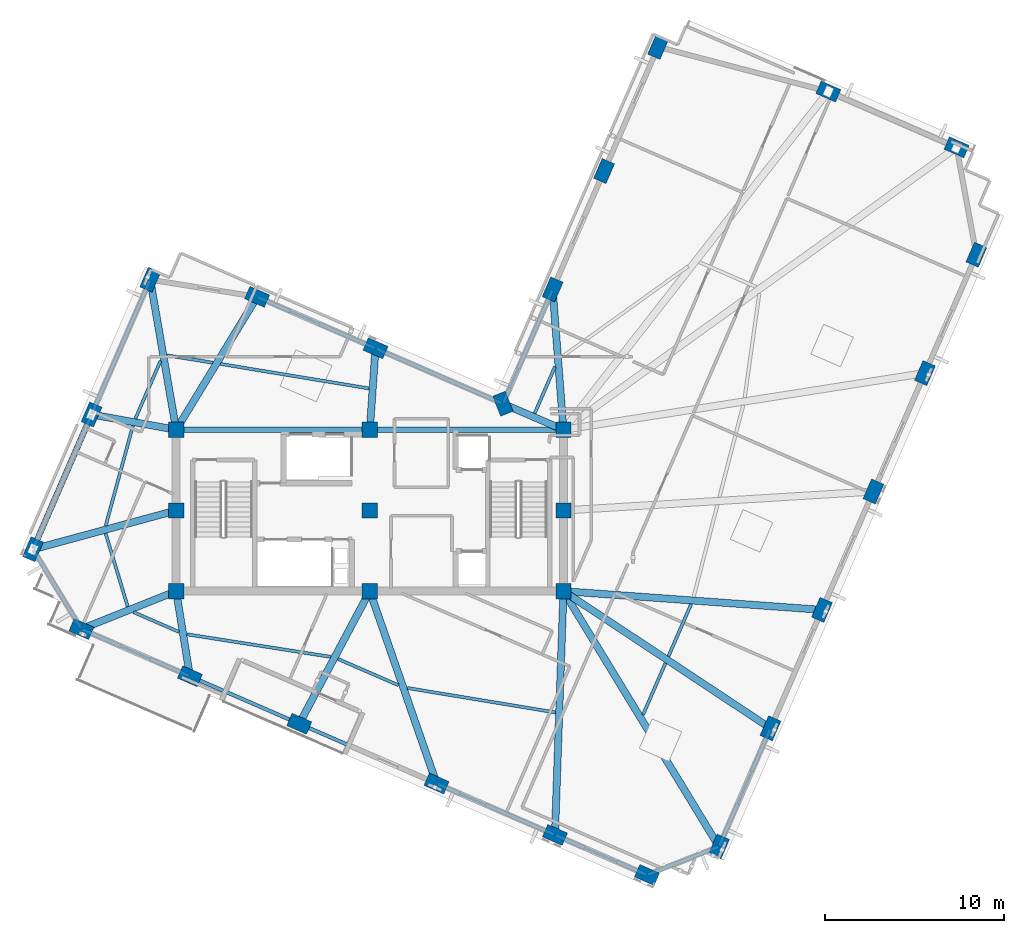
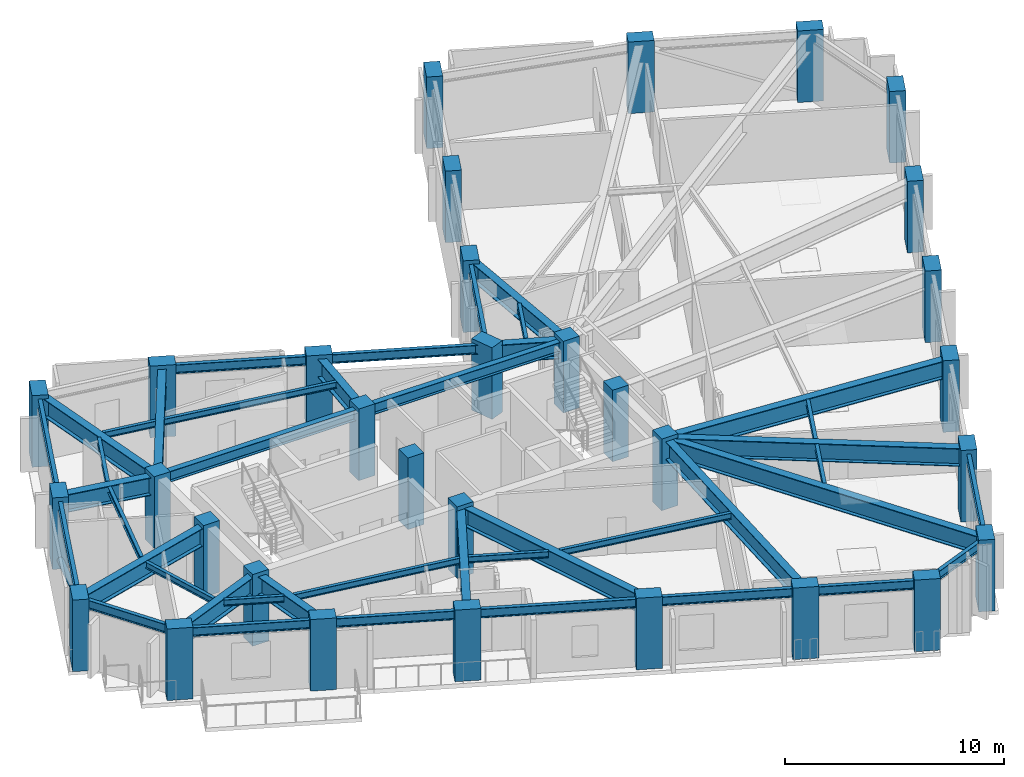
# One storey, part 1 of 12: 42 beams, 32 columns, 1 member.
"""IFC4 building model written with IfcOpenShell, lengths in metres."""

from ifc_helpers import new_model, si_unit, direction, frame, origin, origin_2d, place, context, subcontext, project, spatial, rectangle, hollow_circle, i_section, extrude, material, material_profile, profile_set, type_object, element, save


model = new_model("IFC4")

# Units and contexts
model_context = context("Model", 3, precision=1e-05, world=origin(), true_north=direction((0.0, 1.0)))
body_context = subcontext(model_context, "Body", "Model", "MODEL_VIEW")
ifc_project = project(units=[si_unit("LENGTHUNIT", "METRE"), si_unit("AREAUNIT", "SQUARE_METRE"), si_unit("VOLUMEUNIT", "CUBIC_METRE"), si_unit("PLANEANGLEUNIT", "RADIAN"), si_unit("MASSUNIT", "GRAM", prefix="KILO")], contexts=[model_context])

# Site, building, storey
site_placement = place(None, origin())
site = spatial("IfcSite", under=ifc_project, at=site_placement, CompositionType="ELEMENT")
building_placement = place(site_placement, origin())
building = spatial("IfcBuilding", under=site, at=building_placement, Name="Gaonmaruhae Medical Tower", CompositionType="ELEMENT")
storey_placement = place(building_placement, frame((0.0, 0.0, 312.60009765625)))
storey = spatial("IfcBuildingStorey", under=building, at=storey_placement, Name="L75", CompositionType="ELEMENT", Elevation=312.60009765625)

# Columns
ifc_material_1 = material(Name="Concrete C50/60", Category="concrete")
ifc_material_profile_1 = material_profile(ifc_material_1, rectangle(XDim=0.85009765625, YDim=0.85009765625, at=origin_2d()), Name="RC-850x850")
ifc_profile_set_1 = profile_set([ifc_material_profile_1], Name="Concrete C50/60")
column_type_1 = type_object("IfcColumnType", Name="CC-06 Upper Core Column (RC-850x850)", PredefinedType="COLUMN", material=ifc_profile_set_1)
for number, where, z_axis, x_axis, name in (
    (1, (14.0, 7.800048828125, 0.0), (0.0, 0.0, 1.0), (1.0, 0.0, 0.0), "L75 Plumb Core Column CC11"),
    (2, (14.0, 12.300048828125, 0.0), (0.0, 0.0, 1.0), (1.0, 0.0, 0.0), "L75 Plumb Core Column CC12"),
    (3, (14.0, 16.800048828125, 0.0), (0.0, 0.0, 1.0), (1.0, 0.0, 0.0), "L75 Plumb Core Column CC13"),
    (4, (24.800048828125, 7.800048828125, 0.0), (0.0, 0.0, 1.0), (1.0, 0.0, 0.0), "L75 Plumb Core Column CC21"),
    (5, (24.800048828125, 12.300048828125, 0.0), (0.0, 0.0, 1.0), (1.0, 0.0, 0.0), "L75 Plumb Core Column CC22"),
    (6, (24.800048828125, 16.800048828125, 0.0), (0.0, 0.0, 1.0), (1.0, 0.0, 0.0), "L75 Plumb Core Column CC23"),
    (7, (35.60009765625, 7.800048828125, 0.0), (0.0, 0.0, 1.0), (1.0, 0.0, 0.0), "L75 Plumb Core Column CC31"),
    (8, (35.60009765625, 12.300048828125, 0.0), (0.0, 0.0, 1.0), (1.0, 0.0, 0.0), "L75 Plumb Core Column CC32"),
    (9, (35.60009765625, 16.800048828125, 0.0), (0.0, 0.0, 1.0), (1.0, 0.0, 0.0), "L75 Plumb Core Column CC33"),
):
    element("IfcColumn", number, at=place(storey_placement, frame(where, z_axis=z_axis, x_axis=x_axis)), inside=storey, type_object=column_type_1, Name=name, PredefinedType="COLUMN", context=body_context, shape_type="SweptSolid", body=[
        extrude(rectangle(XDim=0.85009765625, YDim=0.85009765625, at=origin_2d()), origin(), (0.0, 0.0, 1.0), 4.0),
    ])
ifc_material_profile_2 = material_profile(ifc_material_1, rectangle(XDim=1.199951171875, YDim=0.75, at=origin_2d()), Name="RC-1200x750")
ifc_profile_set_2 = profile_set([ifc_material_profile_2], Name="Concrete C50/60")
column_type_2 = type_object("IfcColumnType", Name="TC-03 Upper Raking Tube Pier Column (RC-1200x750)", PredefinedType="COLUMN", material=ifc_profile_set_2)
for number, where, z_axis, x_axis, name in (
    (10, (44.275146484375, -6.448486328125, 0.001708984375), (0.0, 0.0, 1.0), (0.398749068925, 0.917060074385, 0.0), "L75 Perimeter Tube Column S01"),
    (11, (47.14599609375, 0.154296875, 0.001708984375), (0.0, 0.0, 1.0), (0.398749068925, 0.917060074385, 0.0), "L75 Perimeter Tube Column S02"),
    (12, (50.01708984375, 6.75732421875, 0.001708984375), (0.0, 0.0, 1.0), (0.398749068925, 0.917060074385, 0.0), "L75 Perimeter Tube Column S03"),
    (13, (52.88818359375, 13.360107421875, 0.001708984375), (0.0, 0.0, 1.0), (0.398749068925, 0.917060074385, 0.0), "L75 Perimeter Tube Column S04"),
    (14, (55.759033203125, 19.962890625, 0.001708984375), (0.0, 0.0, 1.0), (0.398749068925, 0.917060074385, 0.0), "L75 Perimeter Tube Column S05"),
    (15, (58.630126953125, 26.565673828125, 0.001708984375), (0.0, 0.0, 1.0), (0.398749068925, 0.917060074385, 0.0), "L75 Perimeter Tube Column S06"),
    (16, (57.525634765625, 32.552734375, 0.001708984375), (0.0, 0.0, 1.0), (-0.917060074385, 0.398749068925, 0.0), "L75 Perimeter Tube Column E01"),
    (17, (50.372802734375, 35.662841796875, 0.001708984375), (0.0, 0.0, 1.0), (-0.917060074385, 0.398749068925, 0.0), "L75 Perimeter Tube Column E02"),
    (18, (40.879150390625, 38.155029296875, 0.001708984375), (0.0, 0.0, 1.0), (0.398749068925, 0.917060074385, 0.0), "L75 Perimeter Tube Column E03"),
    (19, (37.868408203125, 31.2314453125, 0.001708984375), (0.0, 0.0, 1.0), (0.398749068925, 0.917060074385, 0.0), "L75 Perimeter Tube Column EN01"),
    (20, (34.99755859375, 24.62841796875, 0.001708984375), (0.0, 0.0, 1.0), (0.398749068925, 0.917060074385, 0.0), "L75 Perimeter Tube Column EN02"),
    (21, (32.226318359375, 18.2548828125, 0.001708984375), (0.0, 0.0, 1.0), (-0.366501226724, 0.930417567982, 0.0), "L75 Perimeter Tube Column KN01"),
    (22, (25.118896484375, 21.34521484375, 0.001708984375), (0.0, 0.0, 1.0), (-0.917060074385, 0.398749068925, 0.0), "L75 Perimeter Tube Column NE01"),
    (23, (18.51611328125, 24.21630859375, 0.001708984375), (0.0, 0.0, 1.0), (-0.917060074385, 0.398749068925, 0.0), "L75 Perimeter Tube Column NE02"),
    (24, (12.55322265625, 25.17333984375, 0.001708984375), (0.0, 0.0, 1.0), (0.398749068925, 0.917060074385, 0.0), "L75 Perimeter Tube Column N01"),
    (25, (9.283447265625, 17.653564453125, 0.001708984375), (0.0, 0.0, 1.0), (0.398749068925, 0.917060074385, 0.0), "L75 Perimeter Tube Column N02"),
    (26, (6.013671875, 10.133544921875, 0.001708984375), (0.0, 0.0, 1.0), (0.398749068925, 0.917060074385, 0.0), "L75 Perimeter Tube Column N03"),
    (27, (8.715087890625, 5.687744140625, 0.001708984375), (0.0, 0.0, 1.0), (-0.917060074385, 0.398749068925, 0.0), "L75 Perimeter Tube Column W01"),
    (28, (14.767578125, 3.055908203125, 0.001708984375), (0.0, 0.0, 1.0), (-0.917060074385, 0.398749068925, 0.0), "L75 Perimeter Tube Column W02"),
    (29, (20.865966796875, 0.404296875, 0.001708984375), (0.0, 0.0, 1.0), (-0.917060074385, 0.398749068925, 0.0), "L75 Perimeter Tube Column W03"),
    (30, (28.5234375, -2.92529296875, 0.001708984375), (0.0, 0.0, 1.0), (-0.917060074385, 0.398749068925, 0.0), "L75 Perimeter Tube Column W04"),
    (31, (35.12646484375, -5.79638671875, 0.001708984375), (0.0, 0.0, 1.0), (-0.917060074385, 0.398749068925, 0.0), "L75 Perimeter Tube Column W05"),
    (32, (40.261962890625, -8.029296875, 0.001708984375), (0.0, 0.0, 1.0), (-0.917060074385, 0.398749068925, 0.0), "L75 Perimeter Tube Column W06"),
):
    element("IfcColumn", number, at=place(storey_placement, frame(where, z_axis=z_axis, x_axis=x_axis)), inside=storey, type_object=column_type_2, Name=name, PredefinedType="COLUMN", context=body_context, shape_type="SweptSolid", body=[
        extrude(rectangle(XDim=1.199951171875, YDim=0.75, at=origin_2d()), origin(), (0.0, 0.0, 1.0), 3.996337890625),
    ])

# Beams
ifc_material_2 = material(Name="Steel SM420", Category="steel")
ifc_material_profile_3 = material_profile(ifc_material_2, i_section(OverallWidth=0.39990234375, OverallDepth=1.0, WebThickness=0.02197265625, FlangeThickness=0.035888671875, at=origin_2d()), Name="BH-1000x400x22x36")
ifc_profile_set_3 = profile_set([ifc_material_profile_3], Name="Steel SM420")
beam_type_1 = type_object("IfcBeamType", Name="BG-02 Refuge Floor Primary Girder (BH-1000x400x22x36)", PredefinedType="BEAM", material=ifc_profile_set_3)
beam_1_placement = place(storey_placement, frame((35.6259765625, 7.75732421875, 3.27978515625), z_axis=(0.520036625826, -0.854143961988, 0.0), x_axis=(0.854143961988, 0.520036625826, 0.0)))
element("IfcBeam", 33, at=beam_1_placement, inside=storey, type_object=beam_type_1, Name="L75 Radial Primary Girder S01", PredefinedType="BEAM", context=body_context, shape_type="SweptSolid", body=[
    extrude(i_section(OverallWidth=0.39990234375, OverallDepth=1.0, WebThickness=0.02197265625, FlangeThickness=0.035888671875, at=origin_2d()), origin(), (0.0, 0.0, 1.0), 16.58154296875),
])
beam_2_placement = place(storey_placement, frame((35.6416015625, 7.7724609375, 3.27978515625), z_axis=(0.833770161097, -0.552111690208, 0.0), x_axis=(0.552111690208, 0.833770161097, 0.0)))
element("IfcBeam", 34, at=beam_2_placement, inside=storey, type_object=beam_type_1, Name="L75 Radial Primary Girder S02", PredefinedType="BEAM", context=body_context, shape_type="SweptSolid", body=[
    extrude(i_section(OverallWidth=0.39990234375, OverallDepth=1.0, WebThickness=0.02197265625, FlangeThickness=0.035888671875, at=origin_2d()), origin(), (0.0, 0.0, 1.0), 13.748291015625),
])
beam_3_placement = place(storey_placement, frame((35.64990234375, 7.79638671875, 3.27978515625), z_axis=(0.997394062708, -0.072146265841, 0.0), x_axis=(0.072146265841, 0.997394062708, 0.0)))
element("IfcBeam", 35, at=beam_3_placement, inside=storey, type_object=beam_type_1, Name="L75 Radial Primary Girder S03", PredefinedType="BEAM", context=body_context, shape_type="SweptSolid", body=[
    extrude(i_section(OverallWidth=0.39990234375, OverallDepth=1.0, WebThickness=0.02197265625, FlangeThickness=0.035888671875, at=origin_2d()), origin(), (0.0, 0.0, 1.0), 14.354736328125),
])
beam_4_placement = place(storey_placement, frame((35.59619140625, 16.849853515625, 3.27978515625), z_axis=(-0.076722992115, 0.997052447207, 0.0), x_axis=(-0.997052447207, -0.076722992115, 0.0)))
element("IfcBeam", 36, at=beam_4_placement, inside=storey, type_object=beam_type_1, Name="L75 Radial Primary Girder EN02", PredefinedType="BEAM", context=body_context, shape_type="SweptSolid", body=[
    extrude(i_section(OverallWidth=0.39990234375, OverallDepth=1.0, WebThickness=0.02197265625, FlangeThickness=0.035888671875, at=origin_2d()), origin(), (0.0, 0.0, 1.0), 7.751708984375),
])
beam_5_placement = place(storey_placement, frame((35.55419921875, 16.81982421875, 3.27978515625), z_axis=(-0.918259431029, 0.395979314266, 0.0), x_axis=(-0.395979314266, -0.918259431029, 0.0)))
element("IfcBeam", 37, at=beam_5_placement, inside=storey, type_object=beam_type_1, Name="L75 Radial Primary Girder KN01", PredefinedType="BEAM", context=body_context, shape_type="SweptSolid", body=[
    extrude(i_section(OverallWidth=0.39990234375, OverallDepth=1.0, WebThickness=0.02197265625, FlangeThickness=0.035888671875, at=origin_2d()), origin(), (0.0, 0.0, 1.0), 3.57421875),
])
beam_6_placement = place(storey_placement, frame((24.803466796875, 16.849853515625, 3.27978515625), z_axis=(0.070012845455, 0.997546089898, 0.0), x_axis=(-0.997546089898, 0.070012845455, 0.0)))
element("IfcBeam", 38, at=beam_6_placement, inside=storey, type_object=beam_type_1, Name="L75 Radial Primary Girder NE01", PredefinedType="BEAM", context=body_context, shape_type="SweptSolid", body=[
    extrude(i_section(OverallWidth=0.39990234375, OverallDepth=1.0, WebThickness=0.02197265625, FlangeThickness=0.035888671875, at=origin_2d()), origin(), (0.0, 0.0, 1.0), 4.45654296875),
])
beam_7_placement = place(storey_placement, frame((14.026123046875, 16.8427734375, 3.27978515625), z_axis=(0.520106658264, 0.854101319534, 0.0), x_axis=(-0.854101319534, 0.520106658264, 0.0)))
element("IfcBeam", 39, at=beam_7_placement, inside=storey, type_object=beam_type_1, Name="L75 Radial Primary Girder NE02", PredefinedType="BEAM", context=body_context, shape_type="SweptSolid", body=[
    extrude(i_section(OverallWidth=0.39990234375, OverallDepth=1.0, WebThickness=0.02197265625, FlangeThickness=0.035888671875, at=origin_2d()), origin(), (0.0, 0.0, 1.0), 8.5830078125),
])
beam_8_placement = place(storey_placement, frame((13.991455078125, 16.849365234375, 3.27978515625), z_axis=(-0.170256429826, 0.985399791, 0.0), x_axis=(-0.985399791, -0.170256429826, 0.0)))
element("IfcBeam", 40, at=beam_8_placement, inside=storey, type_object=beam_type_1, Name="L75 Radial Primary Girder N01", PredefinedType="BEAM", context=body_context, shape_type="SweptSolid", body=[
    extrude(i_section(OverallWidth=0.39990234375, OverallDepth=1.0, WebThickness=0.02197265625, FlangeThickness=0.035888671875, at=origin_2d()), origin(), (0.0, 0.0, 1.0), 8.397216796875),
])
beam_9_placement = place(storey_placement, frame((13.95068359375, 16.808837890625, 3.27978515625), z_axis=(-0.984016905829, 0.17807506575, 0.0), x_axis=(-0.17807506575, -0.984016905829, 0.0)))
element("IfcBeam", 41, at=beam_9_placement, inside=storey, type_object=beam_type_1, Name="L75 Radial Primary Girder N02", PredefinedType="BEAM", context=body_context, shape_type="SweptSolid", body=[
    extrude(i_section(OverallWidth=0.39990234375, OverallDepth=1.0, WebThickness=0.02197265625, FlangeThickness=0.035888671875, at=origin_2d()), origin(), (0.0, 0.0, 1.0), 4.69287109375),
])
beam_10_placement = place(storey_placement, frame((13.95166015625, 12.286865234375, 3.27978515625), z_axis=(-0.965122679795, -0.261798038467, 0.0), x_axis=(0.261798038467, -0.965122679795, 0.0)))
element("IfcBeam", 42, at=beam_10_placement, inside=storey, type_object=beam_type_1, Name="L75 Radial Primary Girder N03", PredefinedType="BEAM", context=body_context, shape_type="SweptSolid", body=[
    extrude(i_section(OverallWidth=0.39990234375, OverallDepth=1.0, WebThickness=0.02197265625, FlangeThickness=0.035888671875, at=origin_2d()), origin(), (0.0, 0.0, 1.0), 8.1748046875),
])
beam_11_placement = place(storey_placement, frame((13.95361328125, 7.781494140625, 3.27978515625), z_axis=(-0.928579037594, -0.371134707272, 0.0), x_axis=(0.371134707272, -0.928579037594, 0.0)))
element("IfcBeam", 43, at=beam_11_placement, inside=storey, type_object=beam_type_1, Name="L75 Radial Primary Girder W01", PredefinedType="BEAM", context=body_context, shape_type="SweptSolid", body=[
    extrude(i_section(OverallWidth=0.39990234375, OverallDepth=1.0, WebThickness=0.02197265625, FlangeThickness=0.035888671875, at=origin_2d()), origin(), (0.0, 0.0, 1.0), 5.591552734375),
])
beam_12_placement = place(storey_placement, frame((14.008056640625, 7.750732421875, 3.27978515625), z_axis=(0.159685869984, -0.987167879809, 0.0), x_axis=(0.987167879809, 0.159685869984, 0.0)))
element("IfcBeam", 44, at=beam_12_placement, inside=storey, type_object=beam_type_1, Name="L75 Radial Primary Girder W02", PredefinedType="BEAM", context=body_context, shape_type="SweptSolid", body=[
    extrude(i_section(OverallWidth=0.39990234375, OverallDepth=1.0, WebThickness=0.02197265625, FlangeThickness=0.035888671875, at=origin_2d()), origin(), (0.0, 0.0, 1.0), 4.705810546875),
])
beam_13_placement = place(storey_placement, frame((24.776611328125, 7.755859375, 3.260009765625), z_axis=(-0.469618843189, -0.882869266722, 0.0), x_axis=(0.882869266722, -0.469618843189, 0.0)))
element("IfcBeam", 45, at=beam_13_placement, inside=storey, type_object=beam_type_1, Name="L75 Radial Primary Girder W03", PredefinedType="BEAM", context=body_context, shape_type="SweptSolid", body=[
    extrude(i_section(OverallWidth=0.39990234375, OverallDepth=1.0, WebThickness=0.02197265625, FlangeThickness=0.035888671875, at=origin_2d()), origin(), (0.0, 0.0, 1.0), 8.27685546875),
])
beam_14_placement = place(storey_placement, frame((24.81640625, 7.752685546875, 3.27978515625), z_axis=(0.327964362011, -0.944690095878, 0.0), x_axis=(0.944690095878, 0.327964362011, 0.0)))
element("IfcBeam", 46, at=beam_14_placement, inside=storey, type_object=beam_type_1, Name="L75 Radial Primary Girder W04", PredefinedType="BEAM", context=body_context, shape_type="SweptSolid", body=[
    extrude(i_section(OverallWidth=0.39990234375, OverallDepth=1.0, WebThickness=0.02197265625, FlangeThickness=0.035888671875, at=origin_2d()), origin(), (0.0, 0.0, 1.0), 11.253173828125),
])
beam_15_placement = place(storey_placement, frame((35.59814453125, 7.75, 3.27978515625), z_axis=(-0.034800997703, -0.99939426182, 0.0), x_axis=(0.99939426182, -0.034800997703, 0.0)))
element("IfcBeam", 47, at=beam_15_placement, inside=storey, type_object=beam_type_1, Name="L75 Radial Primary Girder W05", PredefinedType="BEAM", context=body_context, shape_type="SweptSolid", body=[
    extrude(i_section(OverallWidth=0.39990234375, OverallDepth=1.0, WebThickness=0.02197265625, FlangeThickness=0.035888671875, at=origin_2d()), origin(), (0.0, 0.0, 1.0), 13.504638671875),
])
ifc_material_3 = material(Name="Steel SM355", Category="steel")
ifc_material_profile_4 = material_profile(ifc_material_3, i_section(OverallWidth=0.175048828125, OverallDepth=0.35009765625, WebThickness=0.007080078125, FlangeThickness=0.010986328125, FilletRadius=0.012939453125, at=origin_2d()), Name="H-350x175x7x11")
ifc_profile_set_4 = profile_set([ifc_material_profile_4], Name="Steel SM355")
beam_type_2 = type_object("IfcBeamType", Name="FJ-02 Upper Zone Ward Floor Joist (H-350x175x7x11)", PredefinedType="JOIST", material=ifc_profile_set_4)
beam_16_placement = place(storey_placement, frame((40.03759765625, 0.905517578125, 3.60498046875), z_axis=(0.39874601067, 0.917061404146, 0.0), x_axis=(-0.917061404146, 0.39874601067, 0.0)))
element("IfcBeam", 48, at=beam_16_placement, inside=storey, type_object=beam_type_2, Name="L75 Secondary Floor Joist FJ01", PredefinedType="JOIST", context=body_context, shape_type="SweptSolid", body=[
    extrude(i_section(OverallWidth=0.175048828125, OverallDepth=0.35009765625, WebThickness=0.007080078125, FlangeThickness=0.010986328125, FilletRadius=0.012939453125, at=origin_2d()), origin(), (0.0, 0.0, 1.0), 3.140380859375),
])
beam_17_placement = place(storey_placement, frame((41.45654296875, 4.1689453125, 3.60498046875), z_axis=(0.398742993355, 0.917062716094, 0.0), x_axis=(-0.917062716094, 0.398742993355, 0.0)))
element("IfcBeam", 49, at=beam_17_placement, inside=storey, type_object=beam_type_2, Name="L75 Secondary Floor Joist FJ02", PredefinedType="JOIST", context=body_context, shape_type="SweptSolid", body=[
    extrude(i_section(OverallWidth=0.175048828125, OverallDepth=0.35009765625, WebThickness=0.007080078125, FlangeThickness=0.010986328125, FilletRadius=0.012939453125, at=origin_2d()), origin(), (0.0, 0.0, 1.0), 3.1728515625),
])
beam_18_placement = place(storey_placement, frame((35.1259765625, 20.31689453125, 3.60498046875), z_axis=(-0.398704074368, -0.917079637263, 0.0), x_axis=(0.917079637263, -0.398704074368, 0.0)))
element("IfcBeam", 50, at=beam_18_placement, inside=storey, type_object=beam_type_2, Name="L75 Secondary Floor Joist FJ08", PredefinedType="JOIST", context=body_context, shape_type="SweptSolid", body=[
    extrude(i_section(OverallWidth=0.175048828125, OverallDepth=0.35009765625, WebThickness=0.007080078125, FlangeThickness=0.010986328125, FilletRadius=0.012939453125, at=origin_2d()), origin(), (0.0, 0.0, 1.0), 2.835693359375),
])
beam_19_placement = place(storey_placement, frame((24.75537109375, 19.106201171875, 3.60498046875), z_axis=(-0.986663894193, 0.162770881598, 0.0), x_axis=(-0.162770881598, -0.986663894193, 0.0)))
element("IfcBeam", 51, at=beam_19_placement, inside=storey, type_object=beam_type_2, Name="L75 Secondary Floor Joist FJ10", PredefinedType="JOIST", context=body_context, shape_type="SweptSolid", body=[
    extrude(i_section(OverallWidth=0.175048828125, OverallDepth=0.35009765625, WebThickness=0.007080078125, FlangeThickness=0.010986328125, FilletRadius=0.012939453125, at=origin_2d()), origin(), (0.0, 0.0, 1.0), 8.390380859375),
])
beam_20_placement = place(storey_placement, frame((16.038818359375, 20.543212890625, 3.60498046875), z_axis=(-0.987360795074, 0.158488675779, 0.0), x_axis=(-0.158488675779, -0.987360795074, 0.0)))
element("IfcBeam", 52, at=beam_20_placement, inside=storey, type_object=beam_type_2, Name="L75 Secondary Floor Joist FJ11", PredefinedType="JOIST", context=body_context, shape_type="SweptSolid", body=[
    extrude(i_section(OverallWidth=0.175048828125, OverallDepth=0.35009765625, WebThickness=0.007080078125, FlangeThickness=0.010986328125, FilletRadius=0.012939453125, at=origin_2d()), origin(), (0.0, 0.0, 1.0), 2.580322265625),
])
beam_21_placement = place(storey_placement, frame((13.12890625, 20.64697265625, 3.60498046875), z_axis=(-0.398746411425, -0.917061229895, 0.0), x_axis=(0.917061229895, -0.398746411425, 0.0)))
element("IfcBeam", 53, at=beam_21_placement, inside=storey, type_object=beam_type_2, Name="L75 Secondary Floor Joist FJ12", PredefinedType="JOIST", context=body_context, shape_type="SweptSolid", body=[
    extrude(i_section(OverallWidth=0.175048828125, OverallDepth=0.35009765625, WebThickness=0.007080078125, FlangeThickness=0.010986328125, FilletRadius=0.012939453125, at=origin_2d()), origin(), (0.0, 0.0, 1.0), 3.51806640625),
])
beam_22_placement = place(storey_placement, frame((11.58740234375, 17.027099609375, 3.60498046875), z_axis=(-0.262477989376, -0.964937979921, 0.0), x_axis=(0.964937979921, -0.262477989376, 0.0)))
element("IfcBeam", 54, at=beam_22_placement, inside=storey, type_object=beam_type_2, Name="L75 Secondary Floor Joist FJ13", PredefinedType="JOIST", context=body_context, shape_type="SweptSolid", body=[
    extrude(i_section(OverallWidth=0.175048828125, OverallDepth=0.35009765625, WebThickness=0.007080078125, FlangeThickness=0.010986328125, FilletRadius=0.012939453125, at=origin_2d()), origin(), (0.0, 0.0, 1.0), 5.78369140625),
])
beam_23_placement = place(storey_placement, frame((10.06640625, 11.01953125, 3.60498046875), z_axis=(0.289103701868, -0.957297785209, 0.0), x_axis=(0.957297785209, 0.289103701868, 0.0)))
element("IfcBeam", 55, at=beam_23_placement, inside=storey, type_object=beam_type_2, Name="L75 Secondary Floor Joist FJ14", PredefinedType="JOIST", context=body_context, shape_type="SweptSolid", body=[
    extrude(i_section(OverallWidth=0.175048828125, OverallDepth=0.35009765625, WebThickness=0.007080078125, FlangeThickness=0.010986328125, FilletRadius=0.012939453125, at=origin_2d()), origin(), (0.0, 0.0, 1.0), 4.259521484375),
])
beam_24_placement = place(storey_placement, frame((11.62109375, 6.629150390625, 3.60498046875), z_axis=(0.917075663277, -0.398713215012, 0.0), x_axis=(0.398713215012, 0.917075663277, 0.0)))
element("IfcBeam", 56, at=beam_24_placement, inside=storey, type_object=beam_type_2, Name="L75 Secondary Floor Joist FJ15", PredefinedType="JOIST", context=body_context, shape_type="SweptSolid", body=[
    extrude(i_section(OverallWidth=0.175048828125, OverallDepth=0.35009765625, WebThickness=0.007080078125, FlangeThickness=0.010986328125, FilletRadius=0.012939453125, at=origin_2d()), origin(), (0.0, 0.0, 1.0), 2.768798828125),
])
beam_25_placement = place(storey_placement, frame((14.59765625, 5.39453125, 3.60498046875), z_axis=(0.9879068852, -0.15504833496, 0.0), x_axis=(0.15504833496, 0.9879068852, 0.0)))
element("IfcBeam", 57, at=beam_25_placement, inside=storey, type_object=beam_type_2, Name="L75 Secondary Floor Joist FJ16", PredefinedType="JOIST", context=body_context, shape_type="SweptSolid", body=[
    extrude(i_section(OverallWidth=0.175048828125, OverallDepth=0.35009765625, WebThickness=0.007080078125, FlangeThickness=0.010986328125, FilletRadius=0.012939453125, at=origin_2d()), origin(), (0.0, 0.0, 1.0), 8.11865234375),
])
beam_26_placement = place(storey_placement, frame((23.0224609375, 4.019775390625, 3.60498046875), z_axis=(0.91705533197, -0.398759975555, 0.0), x_axis=(0.398759975555, 0.91705533197, 0.0)))
element("IfcBeam", 58, at=beam_26_placement, inside=storey, type_object=beam_type_2, Name="L75 Secondary Floor Joist FJ17", PredefinedType="JOIST", context=body_context, shape_type="SweptSolid", body=[
    extrude(i_section(OverallWidth=0.175048828125, OverallDepth=0.35009765625, WebThickness=0.007080078125, FlangeThickness=0.010986328125, FilletRadius=0.012939453125, at=origin_2d()), origin(), (0.0, 0.0, 1.0), 3.690673828125),
])
beam_27_placement = place(storey_placement, frame((26.892333984375, 2.3994140625, 3.60498046875), z_axis=(0.986661186603, -0.162787293274, 0.0), x_axis=(0.162787293274, 0.986661186603, 0.0)))
element("IfcBeam", 59, at=beam_27_placement, inside=storey, type_object=beam_type_2, Name="L75 Secondary Floor Joist FJ18", PredefinedType="JOIST", context=body_context, shape_type="SweptSolid", body=[
    extrude(i_section(OverallWidth=0.175048828125, OverallDepth=0.35009765625, WebThickness=0.007080078125, FlangeThickness=0.010986328125, FilletRadius=0.012939453125, at=origin_2d()), origin(), (0.0, 0.0, 1.0), 8.377685546875),
])

# Member
ifc_material_profile_5 = material_profile(ifc_material_3, hollow_circle(Radius=0.1591796875, WallThickness=0.01025390625, at=origin_2d()), Name="CHS-318.5x10.3")
ifc_profile_set_5 = profile_set([ifc_material_profile_5], Name="Steel SM355")
member_type = type_object("IfcMemberType", Name="PB-03 Perimeter Solid-Bay Tube Brace Upper (CHS-318.5x10.3)", PredefinedType="BRACE", material=ifc_profile_set_5)
member_placement = place(storey_placement, frame((9.283447265625, 17.653564453125, 0.25), z_axis=(-0.370231257268, -0.851479368802, 0.371364646467), x_axis=(0.917061062653, -0.398746796056, 0.0)))
element("IfcMember", 60, at=member_placement, inside=storey, type_object=member_type, Name="L75 Perimeter Tube Solid-Bay Brace N02-N03", PredefinedType="BRACE", context=body_context, shape_type="SweptSolid", body=[
    extrude(hollow_circle(Radius=0.1591796875, WallThickness=0.01025390625, at=origin_2d()), origin(), (0.0, 0.0, 1.0), 8.831787109375),
])

# Beams
ifc_material_profile_6 = material_profile(ifc_material_2, i_section(OverallWidth=0.300048828125, OverallDepth=0.60009765625, WebThickness=0.011962890625, FlangeThickness=0.02001953125, FilletRadius=0.012939453125, at=origin_2d()), Name="H-600x300x12x20")
ifc_profile_set_6 = profile_set([ifc_material_profile_6], Name="Steel SM420")
beam_type_3 = type_object("IfcBeamType", Name="PG-04 Zone 4 Radial Floor Girder (H-600x300x12x20)", PredefinedType="BEAM", material=ifc_profile_set_6)
for number, where, z_axis, x_axis, name in (
    (61, (14.050048828125, 16.800048828125, 3.47998046875), (1.0, 0.0, 0.0), (0.0, 1.0, 0.0), "L75 Beam BM-L75-CG-N1"),
    (62, (24.85009765625, 16.800048828125, 3.47998046875), (1.0, 0.0, 0.0), (0.0, 1.0, 0.0), "L75 Beam BM-L75-CG-N2"),
):
    element("IfcBeam", number, at=place(storey_placement, frame(where, z_axis=z_axis, x_axis=x_axis)), inside=storey, type_object=beam_type_3, Name=name, PredefinedType="BEAM", context=body_context, shape_type="SweptSolid", body=[
        extrude(i_section(OverallWidth=0.300048828125, OverallDepth=0.60009765625, WebThickness=0.011962890625, FlangeThickness=0.02001953125, FilletRadius=0.012939453125, at=origin_2d()), origin(), (0.0, 0.0, 1.0), 10.699951171875),
    ])
ifc_material_profile_7 = material_profile(ifc_material_3, i_section(OverallWidth=0.199951171875, OverallDepth=0.5, WebThickness=0.010009765625, FlangeThickness=0.01611328125, FilletRadius=0.012939453125, at=origin_2d()), Name="H-500x200x10x16")
ifc_profile_set_7 = profile_set([ifc_material_profile_7], Name="Steel SM355")
beam_type_4 = type_object("IfcBeamType", Name="SP-02 Upper Perimeter Spandrel Beam (H-500x200x10x16)", PredefinedType="SPANDREL", material=ifc_profile_set_7)
beam_28_placement = place(storey_placement, frame((44.291015625, -6.411865234375, 3.52978515625), z_axis=(0.398747426125, 0.917060788693, 0.0), x_axis=(-0.917060788693, 0.398747426125, 0.0)))
element("IfcBeam", 63, at=beam_28_placement, inside=storey, type_object=beam_type_4, Name="L75 Perimeter Spandrel Beam S01-S02", PredefinedType="SPANDREL", context=body_context, shape_type="SweptSolid", body=[
    extrude(i_section(OverallWidth=0.199951171875, OverallDepth=0.5, WebThickness=0.010009765625, FlangeThickness=0.01611328125, FilletRadius=0.012939453125, at=origin_2d()), origin(), (0.0, 0.0, 1.0), 7.1201171875),
])
beam_29_placement = place(storey_placement, frame((34.981689453125, 24.591796875, 3.52978515625), z_axis=(-0.398768993563, -0.917051410649, 0.0), x_axis=(0.917051410649, -0.398768993563, 0.0)))
element("IfcBeam", 64, at=beam_29_placement, inside=storey, type_object=beam_type_4, Name="L75 Perimeter Spandrel Beam EN02-KN01", PredefinedType="SPANDREL", context=body_context, shape_type="SweptSolid", body=[
    extrude(i_section(OverallWidth=0.199951171875, OverallDepth=0.5, WebThickness=0.010009765625, FlangeThickness=0.01611328125, FilletRadius=0.012939453125, at=origin_2d()), origin(), (0.0, 0.0, 1.0), 6.869873046875),
])
beam_30_placement = place(storey_placement, frame((32.189453125, 18.27099609375, 3.52978515625), z_axis=(-0.917059428629, 0.398750554059, 0.0), x_axis=(-0.398750554059, -0.917059428629, 0.0)))
element("IfcBeam", 65, at=beam_30_placement, inside=storey, type_object=beam_type_4, Name="L75 Perimeter Spandrel Beam KN01-NE01", PredefinedType="SPANDREL", context=body_context, shape_type="SweptSolid", body=[
    extrude(i_section(OverallWidth=0.199951171875, OverallDepth=0.5, WebThickness=0.010009765625, FlangeThickness=0.01611328125, FilletRadius=0.012939453125, at=origin_2d()), origin(), (0.0, 0.0, 1.0), 7.669921875),
])
beam_31_placement = place(storey_placement, frame((25.082275390625, 21.361083984375, 3.52978515625), z_axis=(-0.917055336493, 0.398759965154, 0.0), x_axis=(-0.398759965154, -0.917055336493, 0.0)))
element("IfcBeam", 66, at=beam_31_placement, inside=storey, type_object=beam_type_4, Name="L75 Perimeter Spandrel Beam NE01-NE02", PredefinedType="SPANDREL", context=body_context, shape_type="SweptSolid", body=[
    extrude(i_section(OverallWidth=0.199951171875, OverallDepth=0.5, WebThickness=0.010009765625, FlangeThickness=0.01611328125, FilletRadius=0.012939453125, at=origin_2d()), origin(), (0.0, 0.0, 1.0), 7.119873046875),
])
for number, where, z_axis, x_axis, name in (
    (67, (12.537353515625, 25.13671875, 3.52978515625), (-0.398743701995, -0.917062407974, 0.0), (0.917062407974, -0.398743701995, 0.0), "L75 Perimeter Spandrel Beam N01-N02"),
    (68, (9.267578125, 17.61669921875, 3.52978515625), (-0.398743701995, -0.917062407974, 0.0), (0.917062407974, -0.398743701995, 0.0), "L75 Perimeter Spandrel Beam N02-N03"),
):
    element("IfcBeam", number, at=place(storey_placement, frame(where, z_axis=z_axis, x_axis=x_axis)), inside=storey, type_object=beam_type_4, Name=name, PredefinedType="SPANDREL", context=body_context, shape_type="SweptSolid", body=[
        extrude(i_section(OverallWidth=0.199951171875, OverallDepth=0.5, WebThickness=0.010009765625, FlangeThickness=0.01611328125, FilletRadius=0.012939453125, at=origin_2d()), origin(), (0.0, 0.0, 1.0), 8.119873046875),
    ])
beam_32_placement = place(storey_placement, frame((6.034423828125, 10.099365234375, 3.52978515625), z_axis=(0.519289042516, -0.854598672081, 0.0), x_axis=(0.854598672081, 0.519289042516, 0.0)))
element("IfcBeam", 69, at=beam_32_placement, inside=storey, type_object=beam_type_4, Name="L75 Perimeter Spandrel Beam N03-W01", PredefinedType="SPANDREL", context=body_context, shape_type="SweptSolid", body=[
    extrude(i_section(OverallWidth=0.199951171875, OverallDepth=0.5, WebThickness=0.010009765625, FlangeThickness=0.01611328125, FilletRadius=0.012939453125, at=origin_2d()), origin(), (0.0, 0.0, 1.0), 5.122314453125),
])
beam_33_placement = place(storey_placement, frame((8.751708984375, 5.671630859375, 3.52978515625), z_axis=(0.917059935749, -0.398749387767, 0.0), x_axis=(0.398749387767, 0.917059935749, 0.0)))
element("IfcBeam", 70, at=beam_33_placement, inside=storey, type_object=beam_type_4, Name="L75 Perimeter Spandrel Beam W01-W02", PredefinedType="SPANDREL", context=body_context, shape_type="SweptSolid", body=[
    extrude(i_section(OverallWidth=0.199951171875, OverallDepth=0.5, WebThickness=0.010009765625, FlangeThickness=0.01611328125, FilletRadius=0.012939453125, at=origin_2d()), origin(), (0.0, 0.0, 1.0), 6.52001953125),
])
beam_34_placement = place(storey_placement, frame((14.80419921875, 3.0400390625, 3.510009765625), z_axis=(0.917056468028, -0.398757362876, 0.0), x_axis=(0.398757362876, 0.917056468028, 0.0)))
element("IfcBeam", 71, at=beam_34_placement, inside=storey, type_object=beam_type_4, Name="L75 Perimeter Spandrel Beam W02-W03", PredefinedType="SPANDREL", context=body_context, shape_type="SweptSolid", body=[
    extrude(i_section(OverallWidth=0.199951171875, OverallDepth=0.5, WebThickness=0.010009765625, FlangeThickness=0.01611328125, FilletRadius=0.012939453125, at=origin_2d()), origin(), (0.0, 0.0, 1.0), 6.570068359375),
])
beam_35_placement = place(storey_placement, frame((20.90283203125, 0.388427734375, 3.510009765625), z_axis=(0.917049404199, -0.398773607775, 0.0), x_axis=(0.398773607775, 0.917049404199, 0.0)))
element("IfcBeam", 72, at=beam_35_placement, inside=storey, type_object=beam_type_4, Name="L75 Perimeter Spandrel Beam W03-W04", PredefinedType="SPANDREL", context=body_context, shape_type="SweptSolid", body=[
    extrude(i_section(OverallWidth=0.199951171875, OverallDepth=0.5, WebThickness=0.010009765625, FlangeThickness=0.01611328125, FilletRadius=0.012939453125, at=origin_2d()), origin(), (0.0, 0.0, 1.0), 8.27001953125),
])
beam_36_placement = place(storey_placement, frame((28.560302734375, -2.941162109375, 3.52978515625), z_axis=(0.917055336493, -0.398759965154, 0.0), x_axis=(0.398759965154, 0.917055336493, 0.0)))
element("IfcBeam", 73, at=beam_36_placement, inside=storey, type_object=beam_type_4, Name="L75 Perimeter Spandrel Beam W04-W05", PredefinedType="SPANDREL", context=body_context, shape_type="SweptSolid", body=[
    extrude(i_section(OverallWidth=0.199951171875, OverallDepth=0.5, WebThickness=0.010009765625, FlangeThickness=0.01611328125, FilletRadius=0.012939453125, at=origin_2d()), origin(), (0.0, 0.0, 1.0), 7.119873046875),
])
beam_37_placement = place(storey_placement, frame((35.1630859375, -5.812255859375, 3.52978515625), z_axis=(0.917050366415, -0.398771394984, 0.0), x_axis=(0.398771394984, 0.917050366415, 0.0)))
element("IfcBeam", 74, at=beam_37_placement, inside=storey, type_object=beam_type_4, Name="L75 Perimeter Spandrel Beam W05-W06", PredefinedType="SPANDREL", context=body_context, shape_type="SweptSolid", body=[
    extrude(i_section(OverallWidth=0.199951171875, OverallDepth=0.5, WebThickness=0.010009765625, FlangeThickness=0.01611328125, FilletRadius=0.012939453125, at=origin_2d()), origin(), (0.0, 0.0, 1.0), 5.519775390625),
])
beam_38_placement = place(storey_placement, frame((40.299072265625, -8.0146484375, 3.52978515625), z_axis=(0.930416736169, 0.366503338397, 0.0), x_axis=(-0.366503338397, 0.930416736169, 0.0)))
element("IfcBeam", 75, at=beam_38_placement, inside=storey, type_object=beam_type_4, Name="L75 Perimeter Spandrel Beam W06-S01", PredefinedType="SPANDREL", context=body_context, shape_type="SweptSolid", body=[
    extrude(i_section(OverallWidth=0.199951171875, OverallDepth=0.5, WebThickness=0.010009765625, FlangeThickness=0.01611328125, FilletRadius=0.012939453125, at=origin_2d()), origin(), (0.0, 0.0, 1.0), 4.2333984375),
])

save(model, "model.ifc")
